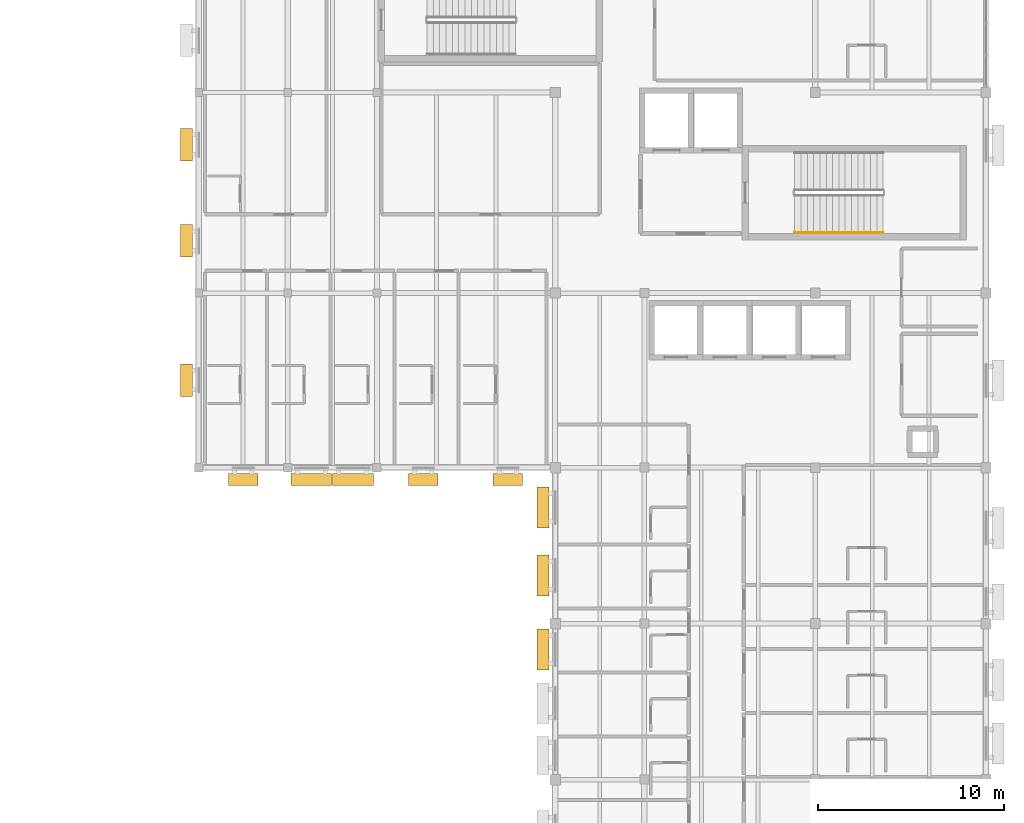
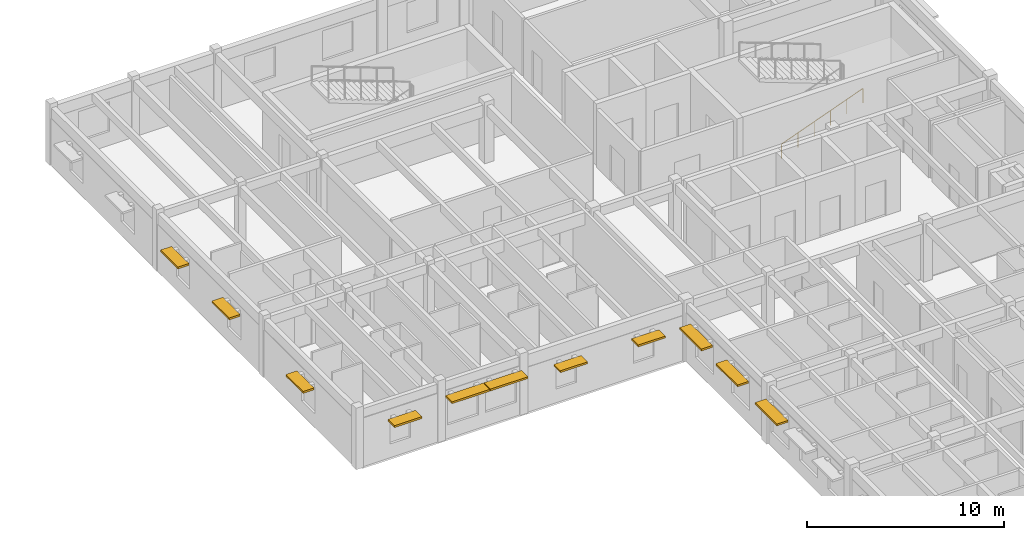
# One storey, part 28 of 31: 11 shading devices, 1 railing.
"""IFC4 building model written with IfcOpenShell, lengths in metres."""

from ifc_helpers import new_model, si_unit, direction, frame, origin, origin_2d, place, context, subcontext, project, spatial, rectangle, circle, extrude, material, type_object, element, save


model = new_model("IFC4")

# Units and contexts
model_context = context("Model", 3, precision=1e-05, world=origin(), true_north=direction((0.0, 1.0)))
body_context = subcontext(model_context, "Body", "Model", "MODEL_VIEW")
ifc_project = project(units=[si_unit("LENGTHUNIT", "METRE"), si_unit("AREAUNIT", "SQUARE_METRE"), si_unit("VOLUMEUNIT", "CUBIC_METRE"), si_unit("PLANEANGLEUNIT", "RADIAN"), si_unit("MASSUNIT", "GRAM", prefix="KILO")], contexts=[model_context])

# Site, building, storey
site_placement = place(None, origin())
site = spatial("IfcSite", under=ifc_project, at=site_placement, CompositionType="ELEMENT")
building_placement = place(site_placement, origin())
building = spatial("IfcBuilding", under=site, at=building_placement, Name="Veldera Park Congress Hotel", CompositionType="ELEMENT")
storey_placement = place(building_placement, frame((0.0, 0.0, 20.0)))
storey = spatial("IfcBuildingStorey", under=building, at=storey_placement, Name="L04", CompositionType="ELEMENT", Elevation=20.0)

# Railing
ifc_material_1 = material(Name="Steel ASTM A992 Gr.50", Category="steel")
railing_type = type_object("IfcRailingType", Name="HRL-920", PredefinedType="HANDRAIL", material=ifc_material_1)
railing_placement = place(storey_placement, frame((73.699951171875, 39.64990234375, 0.126708984375)))
element("IfcRailing", 1, at=railing_placement, inside=storey, type_object=railing_type, Name="L04 ST1 stair handrail 1", PredefinedType="HANDRAIL", context=body_context, shape_type="SweptSolid", body=[
    extrude(circle(Radius=0.02392578125, at=origin_2d()), frame((0.0, 0.0, 0.89599609375), z_axis=(0.937091363699, 0.0, 0.349084196263), x_axis=(0.0, 1.0, 0.0)), (0.0, 0.0, 1.0), 5.07958984375),
    extrude(circle(Radius=0.02099609375, at=origin_2d()), origin(), (0.0, 0.0, 1.0), 0.871826171875),
    extrude(circle(Radius=0.02099609375, at=origin_2d()), frame((0.951904296875, 0.0, 0.354736328125)), (0.0, 0.0, 1.0), 0.871826171875),
    extrude(circle(Radius=0.02099609375, at=origin_2d()), frame((1.904052734375, 0.0, 0.709228515625)), (0.0, 0.0, 1.0), 0.871826171875),
    extrude(circle(Radius=0.02099609375, at=origin_2d()), frame((2.85595703125, 0.0, 1.06396484375)), (0.0, 0.0, 1.0), 0.871826171875),
    extrude(circle(Radius=0.02099609375, at=origin_2d()), frame((3.80810546875, 0.0, 1.41845703125)), (0.0, 0.0, 1.0), 0.871826171875),
    extrude(circle(Radius=0.02099609375, at=origin_2d()), frame((4.760009765625, 0.0, 1.773193359375)), (0.0, 0.0, 1.0), 0.871826171875),
])

# Shading devices
ifc_material_2 = material(Name="Glulam GL28h (NDS 24F-V4)", Category="wood")
shading_device_type = type_object("IfcShadingDeviceType", Name="SHD-LVR300", PredefinedType="JALOUSIE", material=ifc_material_2)
for number, where, z_axis, x_axis, name in (
    (2, (40.955078125, 44.39599609375, 2.52001953125), (0.0, 0.0, 1.0), (0.0, -1.0, 0.0), "Glulam Solar Shade 150"),
    (3, (40.955078125, 39.2041015625, 2.52001953125), (0.0, 0.0, 1.0), (0.0, -1.0, 0.0), "Glulam Solar Shade 151"),
    (4, (40.955078125, 31.70751953125, 2.52001953125), (0.0, 0.0, 1.0), (0.0, -1.0, 0.0), "Glulam Solar Shade 152"),
):
    element("IfcShadingDevice", number, at=place(storey_placement, frame(where, z_axis=z_axis, x_axis=x_axis)), inside=storey, type_object=shading_device_type, Name=name, PredefinedType="JALOUSIE", context=body_context, shape_type="SweptSolid", body=[
        extrude(rectangle(XDim=1.75, YDim=0.64990234375, at=origin_2d()), origin(), (0.0, 0.0, 1.0), 0.1201171875),
    ])
for number, where, z_axis, x_axis, name in (
    (5, (44.0, 26.35498046875, 2.419921875), (0.0, 0.0, 1.0), (1.0, 0.0, 0.0), "Glulam Solar Shade 153"),
    (6, (53.69775390625, 26.35498046875, 2.419921875), (0.0, 0.0, 1.0), (1.0, 0.0, 0.0), "Glulam Solar Shade 154"),
    (7, (58.247314453125, 26.35498046875, 2.419921875), (0.0, 0.0, 1.0), (1.0, 0.0, 0.0), "Glulam Solar Shade 155"),
):
    element("IfcShadingDevice", number, at=place(storey_placement, frame(where, z_axis=z_axis, x_axis=x_axis)), inside=storey, type_object=shading_device_type, Name=name, PredefinedType="JALOUSIE", context=body_context, shape_type="SweptSolid", body=[
        extrude(rectangle(XDim=1.60009765625, YDim=0.64990234375, at=origin_2d()), origin(), (0.0, 0.0, 1.0), 0.1201171875),
    ])
for number, where, z_axis, x_axis, name in (
    (8, (60.155029296875, 17.2060546875, 2.719970703125), (0.0, 0.0, 1.0), (0.0, -1.0, 0.0), "Glulam Solar Shade 373"),
    (9, (60.155029296875, 21.18994140625, 2.719970703125), (0.0, 0.0, 1.0), (0.0, -1.0, 0.0), "Glulam Solar Shade 374"),
    (10, (60.155029296875, 24.845947265625, 2.719970703125), (0.0, 0.0, 1.0), (0.0, -1.0, 0.0), "Glulam Solar Shade 375"),
    (11, (47.66650390625, 26.35498046875, 2.719970703125), (0.0, 0.0, 1.0), (1.0, 0.0, 0.0), "Glulam Solar Shade 392"),
    (12, (49.903564453125, 26.35498046875, 2.719970703125), (0.0, 0.0, 1.0), (1.0, 0.0, 0.0), "Glulam Solar Shade 393"),
):
    element("IfcShadingDevice", number, at=place(storey_placement, frame(where, z_axis=z_axis, x_axis=x_axis)), inside=storey, type_object=shading_device_type, Name=name, PredefinedType="JALOUSIE", context=body_context, shape_type="SweptSolid", body=[
        extrude(rectangle(XDim=2.199951171875, YDim=0.64990234375, at=origin_2d()), origin(), (0.0, 0.0, 1.0), 0.1201171875),
    ])

save(model, "model.ifc")
